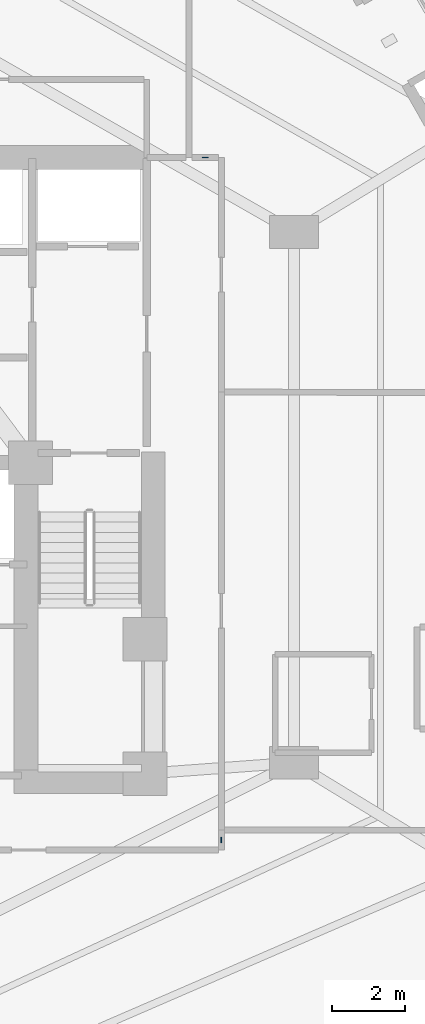
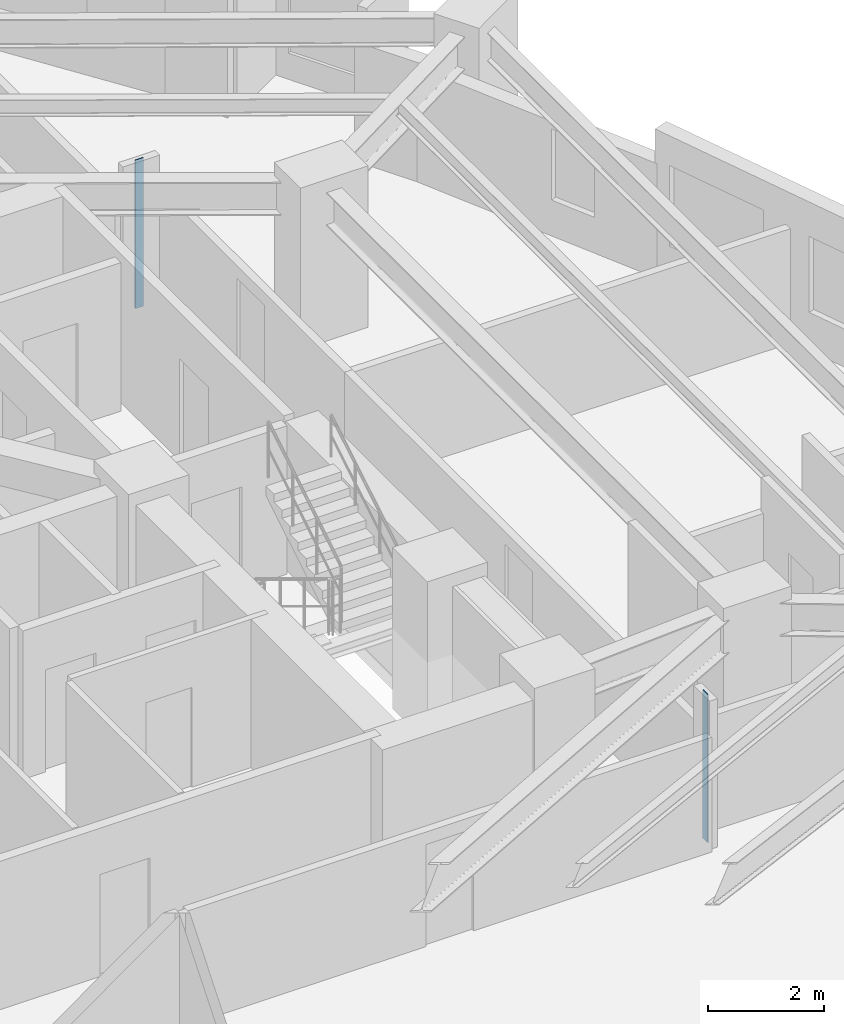
# One storey, part 4 of 14: 2 plates.
"""IFC4 building model written with IfcOpenShell, lengths in metres."""

from ifc_helpers import new_model, si_unit, direction, frame, origin, origin_2d, place, context, subcontext, project, spatial, rectangle, extrude, material, layer, layer_set, type_object, element, save


model = new_model("IFC4")

# Units and contexts
model_context = context("Model", 3, precision=1e-05, world=origin(), true_north=direction((0.0, 1.0)))
body_context = subcontext(model_context, "Body", "Model", "MODEL_VIEW")
ifc_project = project(units=[si_unit("LENGTHUNIT", "METRE"), si_unit("AREAUNIT", "SQUARE_METRE"), si_unit("VOLUMEUNIT", "CUBIC_METRE"), si_unit("PLANEANGLEUNIT", "RADIAN"), si_unit("MASSUNIT", "GRAM", prefix="KILO")], contexts=[model_context])

# Site, building, storey
site_placement = place(None, origin())
site = spatial("IfcSite", under=ifc_project, at=site_placement, CompositionType="ELEMENT")
building_placement = place(site_placement, origin())
building = spatial("IfcBuilding", under=site, at=building_placement, Name="Miruveldt Soraemaru", CompositionType="ELEMENT")
storey_placement = place(building_placement, frame((0.0, 0.0, 80.199951171875)))
storey = spatial("IfcBuildingStorey", under=building, at=storey_placement, Name="L22", CompositionType="ELEMENT", Elevation=80.199951171875)

# Plates
ifc_material = material(Name="Anodised aluminium EN AW-6063 T6", Category="aluminium")
ifc_layer = layer(ifc_material, 0.02001953125, Name="Anodised aluminium EN AW-6063 T6", Category="aluminium")
ifc_layer_set = layer_set([ifc_layer], Name="Anodised aluminium EN AW-6063 T6")
plate_type = type_object("IfcPlateType", Name="PLT-PART-TRIM", PredefinedType="SHEET", material=ifc_layer_set)
for number, where, z_axis, x_axis, name in (
    (1, (54.155029296875, 52.449951171875, 0.0), (0.0, 0.0, 1.0), (-1.0, 0.0, 0.0), "L22 Partition Step Corner Trim Plate 008"),
    (2, (54.60009765625, 33.675048828125, 0.0), (0.0, 0.0, 1.0), (0.0, 1.0, 0.0), "L22 Partition Step Corner Trim Plate 012"),
):
    element("IfcPlate", number, at=place(storey_placement, frame(where, z_axis=z_axis, x_axis=x_axis)), inside=storey, type_object=plate_type, Name=name, PredefinedType="SHEET", context=body_context, shape_type="SweptSolid", body=[
        extrude(rectangle(XDim=0.159912109375, YDim=0.02001953125, at=origin_2d()), origin(), (0.0, 0.0, 1.0), 3.125),
    ])

save(model, "model.ifc")
